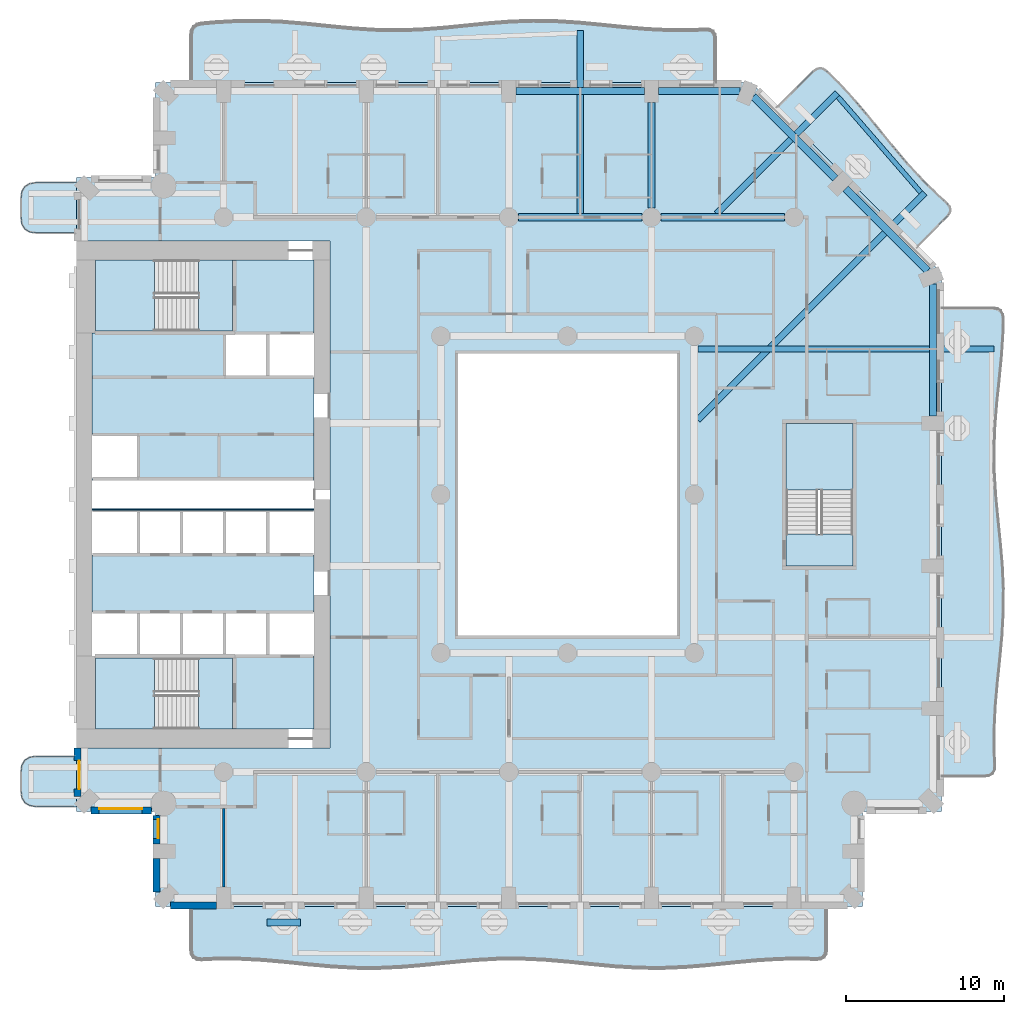
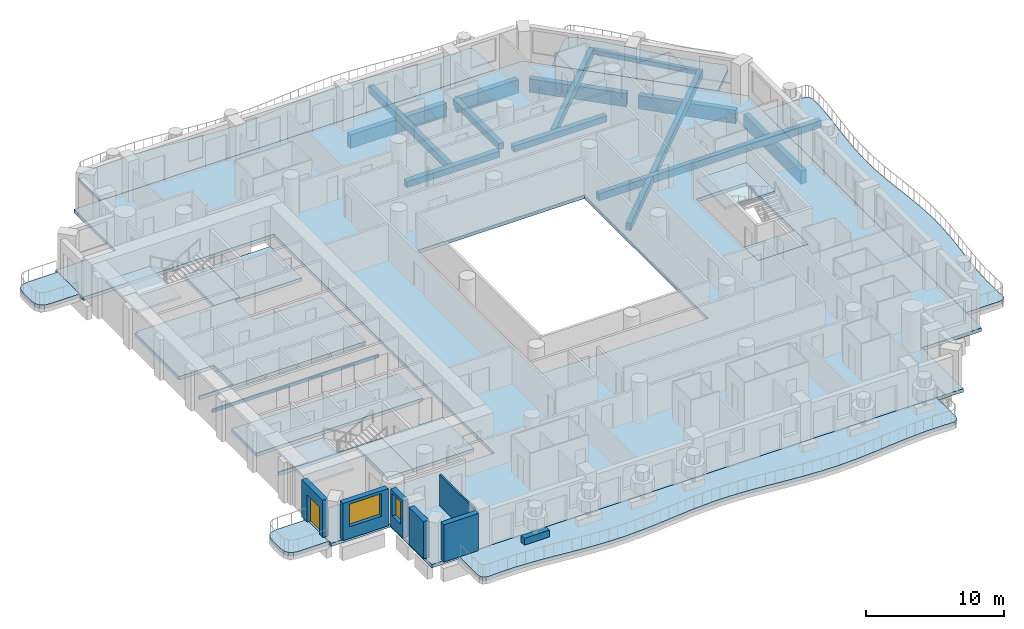
# One storey, part 2 of 20: 17 slabs, 13 beams, 7 walls, 2 windows, 1 door, 3 openings, 3 elements without a shape of their own.
"""IFC4 building model written with IfcOpenShell, lengths in metres."""

from ifc_helpers import new_model, si_unit, direction, frame, frame_2d, origin, origin_2d, place, context, subcontext, project, spatial, polyline, rectangle, outline, extrude, material, layer, layer_set, material_profile, profile_set, type_object, element, fill, aggregate, save


model = new_model("IFC4")

# Units and contexts
model_context = context("Model", 3, precision=1e-05, world=origin(), true_north=direction((0.0, 1.0)))
body_context = subcontext(model_context, "Body", "Model", "MODEL_VIEW")
ifc_project = project(units=[si_unit("LENGTHUNIT", "METRE"), si_unit("AREAUNIT", "SQUARE_METRE"), si_unit("VOLUMEUNIT", "CUBIC_METRE"), si_unit("PLANEANGLEUNIT", "RADIAN"), si_unit("MASSUNIT", "GRAM", prefix="KILO")], contexts=[model_context])

# Site, building, storey
site_placement = place(None, origin())
site = spatial("IfcSite", under=ifc_project, at=site_placement, CompositionType="ELEMENT")
building_placement = place(site_placement, origin())
building = spatial("IfcBuilding", under=site, at=building_placement, Name="Cypress Arch Tower", CompositionType="ELEMENT")
storey_placement = place(building_placement, frame((0.0, 0.0, 62.699951171875)))
storey = spatial("IfcBuildingStorey", under=building, at=storey_placement, Name="L09", CompositionType="ELEMENT", Elevation=62.699951171875)

# Beams
ifc_material_1 = material(Name="Concrete C50/60", Category="concrete")
ifc_material_profile_1 = material_profile(ifc_material_1, rectangle(XDim=0.300048828125, YDim=0.39990234375, at=origin_2d()), Name="RC 300x400")
ifc_profile_set_1 = profile_set([ifc_material_profile_1], Name="Concrete C50/60")
beam_type_1 = type_object("IfcBeamType", Name="Balcony edge beam RC 300x400 Concrete C50/60", PredefinedType="BEAM", material=ifc_profile_set_1)
beam_1_placement = place(storey_placement, frame((23.295166015625, 19.06591796875, -0.5), z_axis=(-0.654847851218, 0.755760737109, 0.0), x_axis=(-0.755760737109, -0.654847851218, 0.0)))
element("IfcBeam", 1, at=beam_1_placement, inside=storey, type_object=beam_type_1, Name="Balcony edge beam L09 A07", PredefinedType="BEAM", context=body_context, shape_type="SweptSolid", body=[
    extrude(rectangle(XDim=0.300048828125, YDim=0.39990234375, at=origin_2d()), origin(), (0.0, 0.0, 1.0), 7.9814453125),
])
ifc_material_2 = material(Name="Concrete C50/60", Category="concrete")
ifc_material_profile_2 = material_profile(ifc_material_2, rectangle(XDim=0.39990234375, YDim=0.64990234375, at=origin_2d()), Name="RC 400x650")
ifc_profile_set_2 = profile_set([ifc_material_profile_2], Name="Concrete C50/60")
beam_type_2 = type_object("IfcBeamType", Name="Cantilever beam RC 400x650 Concrete C50/60", PredefinedType="BEAM", material=ifc_profile_set_2)
beam_2_placement = place(storey_placement, frame((9.22509765625, 9.18798828125, -0.625), z_axis=(1.0, 0.0, 0.0), x_axis=(0.0, 1.0, 0.0)))
element("IfcBeam", 2, at=beam_2_placement, inside=storey, type_object=beam_type_2, Name="Cantilever beam L09 A06 2", PredefinedType="BEAM", context=body_context, shape_type="SweptSolid", body=[
    extrude(rectangle(XDim=0.39990234375, YDim=0.64990234375, at=origin_2d()), origin(), (0.0, 0.0, 1.0), 18.6767578125),
])
beam_3_placement = place(storey_placement, frame((9.22509765625, 4.712890625, -0.625), z_axis=(0.707106781187, 0.707106781187, 0.0), x_axis=(-0.707106781187, 0.707106781187, 0.0)))
element("IfcBeam", 3, at=beam_3_placement, inside=storey, type_object=beam_type_2, Name="Cantilever beam L09 A07 1", PredefinedType="BEAM", context=body_context, shape_type="SweptSolid", body=[
    extrude(rectangle(XDim=0.39990234375, YDim=0.64990234375, at=origin_2d()), origin(), (0.0, 0.0, 1.0), 20.248291015625),
])
beam_4_placement = place(storey_placement, frame((10.412841796875, 17.72509765625, -0.625), z_axis=(0.707106781187, 0.707106781187, 0.0), x_axis=(-0.707106781187, 0.707106781187, 0.0)))
element("IfcBeam", 4, at=beam_4_placement, inside=storey, type_object=beam_type_2, Name="Cantilever beam L09 A07 2", PredefinedType="BEAM", context=body_context, shape_type="SweptSolid", body=[
    extrude(rectangle(XDim=0.39990234375, YDim=0.64990234375, at=origin_2d()), origin(), (0.0, 0.0, 1.0), 10.77685546875),
])
beam_5_placement = place(storey_placement, frame((1.800048828125, 17.72509765625, -0.625), z_axis=(0.0, 1.0, 0.0), x_axis=(-1.0, 0.0, 0.0)))
element("IfcBeam", 5, at=beam_5_placement, inside=storey, type_object=beam_type_2, Name="Cantilever beam L09 A08 1", PredefinedType="BEAM", context=body_context, shape_type="SweptSolid", body=[
    extrude(rectangle(XDim=0.39990234375, YDim=0.64990234375, at=origin_2d()), origin(), (0.0, 0.0, 1.0), 11.55029296875),
])
ifc_material_3 = material(Name="Concrete C50/60", Category="concrete")
ifc_material_profile_3 = material_profile(ifc_material_3, rectangle(XDim=0.449951171875, YDim=0.550048828125, at=origin_2d()), Name="RC 450x550")
ifc_profile_set_3 = profile_set([ifc_material_profile_3], Name="Concrete C50/60")
beam_type_3 = type_object("IfcBeamType", Name="Floor beam RC 450x550 Concrete C50/60", PredefinedType="BEAM", material=ifc_profile_set_3)
for number, where, z_axis, x_axis, name in (
    (6, (-2.10009765625, 17.5, -0.574951171875), (1.0, 0.0, 0.0), (0.0, 1.0, 0.0), "Floor beam L09 FB017"),
    (7, (6.89990234375, 17.5, -0.574951171875), (1.0, 0.0, 0.0), (0.0, 1.0, 0.0), "Floor beam L09 FB018"),
):
    element("IfcBeam", number, at=place(storey_placement, frame(where, z_axis=z_axis, x_axis=x_axis)), inside=storey, type_object=beam_type_3, Name=name, PredefinedType="BEAM", context=body_context, shape_type="SweptSolid", body=[
        extrude(rectangle(XDim=0.449951171875, YDim=0.550048828125, at=origin_2d()), origin(), (0.0, 0.0, 1.0), 7.800048828125),
    ])
beam_6_placement = place(storey_placement, frame((6.300048828125, 18.10009765625, -0.574951171875), z_axis=(0.0, 1.0, 0.0), x_axis=(-1.0, 0.0, 0.0)))
element("IfcBeam", 8, at=beam_6_placement, inside=storey, type_object=beam_type_3, Name="Floor beam L09 FB033", PredefinedType="BEAM", context=body_context, shape_type="SweptSolid", body=[
    extrude(rectangle(XDim=0.449951171875, YDim=0.550048828125, at=origin_2d()), origin(), (0.0, 0.0, 1.0), 6.64990234375),
])
ifc_material_4 = material(Name="Concrete C50/60", Category="concrete")
ifc_material_profile_4 = material_profile(ifc_material_4, rectangle(XDim=0.449951171875, YDim=1.199951171875, at=origin_2d()), Name="RC 450x1200")
ifc_profile_set_4 = profile_set([ifc_material_profile_4], Name="Concrete C50/60")
beam_type_4 = type_object("IfcBeamType", Name="Spandrel beam RC 450x1200 Concrete C50/60", PredefinedType="SPANDREL", material=ifc_profile_set_4)
beam_7_placement = place(storey_placement, frame((24.074951171875, 4.949951171875, -1.550048828125), z_axis=(0.0, 1.0, 0.0), x_axis=(-1.0, 0.0, 0.0)))
element("IfcBeam", 9, at=beam_7_placement, inside=storey, type_object=beam_type_4, Name="Spandrel beam L09 BA06-3", PredefinedType="SPANDREL", context=body_context, shape_type="SweptSolid", body=[
    extrude(rectangle(XDim=0.449951171875, YDim=1.199951171875, at=origin_2d()), origin(), (0.0, 0.0, 1.0), 8.345458984375),
])
for number, where, z_axis, x_axis, name in (
    (10, (23.73046875, 14.126953125, -1.550048828125), (-0.707106781187, 0.707106781187, 0.0), (-0.707106781187, -0.707106781187, 0.0), "Spandrel beam L09 BA07-0"),
    (11, (17.91064453125, 19.947021484375, -1.550048828125), (-0.707106781187, 0.707106781187, 0.0), (-0.707106781187, -0.707106781187, 0.0), "Spandrel beam L09 BA07-1"),
):
    element("IfcBeam", number, at=place(storey_placement, frame(where, z_axis=z_axis, x_axis=x_axis)), inside=storey, type_object=beam_type_4, Name=name, PredefinedType="SPANDREL", context=body_context, shape_type="SweptSolid", body=[
        extrude(rectangle(XDim=0.449951171875, YDim=1.199951171875, at=origin_2d()), origin(), (0.0, 0.0, 1.0), 7.330810546875),
    ])
beam_8_placement = place(storey_placement, frame((11.8955078125, 25.47509765625, -1.550048828125), z_axis=(-1.0, 0.0, 0.0), x_axis=(0.0, -1.0, 0.0)))
element("IfcBeam", 12, at=beam_8_placement, inside=storey, type_object=beam_type_4, Name="Spandrel beam L09 BA08-0", PredefinedType="SPANDREL", context=body_context, shape_type="SweptSolid", body=[
    extrude(rectangle(XDim=0.449951171875, YDim=1.199951171875, at=origin_2d()), origin(), (0.0, 0.0, 1.0), 5.1455078125),
])
beam_9_placement = place(storey_placement, frame((5.85009765625, 25.47509765625, -1.550048828125), z_axis=(-1.0, 0.0, 0.0), x_axis=(0.0, -1.0, 0.0)))
element("IfcBeam", 13, at=beam_9_placement, inside=storey, type_object=beam_type_4, Name="Spandrel beam L09 BA08-1", PredefinedType="SPANDREL", context=body_context, shape_type="SweptSolid", body=[
    extrude(rectangle(XDim=0.449951171875, YDim=1.199951171875, at=origin_2d()), origin(), (0.0, 0.0, 1.0), 8.10009765625),
])

# Slabs
ifc_material_5 = material(Name="Concrete C40/50", Category="concrete")
ifc_layer_1 = layer(ifc_material_5, 0.300048828125)
ifc_layer_set_1 = layer_set([ifc_layer_1], Name="Balcony slab BS300")
slab_type_1 = type_object("IfcSlabType", Name="Balcony slab BS300", PredefinedType="USERDEFINED", material=ifc_layer_set_1)
slab_1_placement = place(storey_placement, frame((0.0, 0.0, -0.300048828125)))
element("IfcSlab", 14, at=slab_1_placement, inside=storey, type_object=slab_type_1, Name="Balcony slab L09-A00W0", ObjectType="BALCONY SLAB", PredefinedType="USERDEFINED", context=body_context, shape_type="SweptSolid", body=[
    extrude(outline(polyline([(-30.0, 19.699951171875), (-32.5, 19.699951171875), (-32.9375, 19.637451171875), (-33.25, 19.449951171875), (-33.4375, 19.137451171875), (-33.5, 18.699951171875), (-33.5, 17.5), (-33.4375, 17.0625), (-33.25, 16.75), (-32.9375, 16.5625), (-32.5, 16.5), (-30.0, 16.5), (-30.0, 19.699951171875)])), origin(), (0.0, 0.0, 1.0), 0.300048828125),
])
slab_2_placement = place(storey_placement, frame((0.0, 0.0, -0.300048828125)))
element("IfcSlab", 15, at=slab_2_placement, inside=storey, type_object=slab_type_1, Name="Balcony slab L09-A00W1", ObjectType="BALCONY SLAB", PredefinedType="USERDEFINED", context=body_context, shape_type="SweptSolid", body=[
    extrude(outline(polyline([(-30.0, -16.5), (-32.5, -16.5), (-32.9375, -16.5625), (-33.25, -16.75), (-33.4375, -17.0625), (-33.5, -17.5), (-33.5, -18.699951171875), (-33.4375, -19.137451171875), (-33.25, -19.449951171875), (-32.9375, -19.637451171875), (-32.5, -19.699951171875), (-30.0, -19.699951171875), (-30.0, -16.5)])), origin(), (0.0, 0.0, 1.0), 0.300048828125),
])
slab_3_placement = place(storey_placement, frame((0.0, 0.0, -0.300048828125)))
element("IfcSlab", 16, at=slab_3_placement, inside=storey, type_object=slab_type_1, Name="Balcony slab L09-A03", ObjectType="BALCONY SLAB", PredefinedType="USERDEFINED", context=body_context, shape_type="SweptSolid", body=[
    extrude(outline(polyline([(-22.75, -26.0), (-22.75, -28.71875), (-22.708251953125, -29.00927734375), (-22.5830078125, -29.2119140625), (-22.3740234375, -29.326416015625), (-22.081787109375, -29.35302734375), (-21.264892578125, -29.310546875), (-19.779541015625, -29.309326171875), (-18.29443359375, -29.384521484375), (-16.809326171875, -29.516357421875), (-15.323974609375, -29.670166015625), (-13.8388671875, -29.805419921875), (-12.353759765625, -29.88671875), (-10.868408203125, -29.892822265625), (-9.38330078125, -29.82177734375), (-7.898193359375, -29.692626953125), (-6.412841796875, -29.5390625), (-4.927734375, -29.4013671875), (-3.442626953125, -29.316162109375), (-1.95751953125, -29.305419921875), (-0.47216796875, -29.3720703125), (1.012939453125, -29.498779296875), (2.498046875, -29.65185546875), (3.9833984375, -29.79150390625), (5.468505859375, -29.880859375), (6.95361328125, -29.896240234375), (8.43896484375, -29.833984375), (9.924072265625, -29.7099609375), (11.4091796875, -29.557373046875), (12.89453125, -29.415771484375), (14.379638671875, -29.32275390625), (15.86474609375, -29.302490234375), (16.681640625, -29.334228515625), (16.97412109375, -29.303955078125), (17.182861328125, -29.186767578125), (17.308349609375, -28.982666015625), (17.35009765625, -28.691650390625), (17.35009765625, -26.0), (-22.75, -26.0)])), origin(), (0.0, 0.0, 1.0), 0.300048828125),
])
slab_4_placement = place(storey_placement, frame((0.0, 0.0, -0.300048828125)))
element("IfcSlab", 17, at=slab_4_placement, inside=storey, type_object=slab_type_1, Name="Balcony slab L09-A06", ObjectType="BALCONY SLAB", PredefinedType="USERDEFINED", context=body_context, shape_type="SweptSolid", body=[
    extrude(outline(polyline([(24.60009765625, -17.75), (27.3232421875, -17.75), (27.61181640625, -17.70849609375), (27.81298828125, -17.583984375), (27.9267578125, -17.376708984375), (27.953125, -17.086181640625), (27.910888671875, -16.27490234375), (27.908935546875, -14.800048828125), (27.982421875, -13.324951171875), (28.1123046875, -11.85009765625), (28.264892578125, -10.375), (28.400634765625, -8.89990234375), (28.484375, -7.425048828125), (28.494384765625, -5.949951171875), (28.42822265625, -4.47509765625), (28.302490234375, -3.0), (28.150390625, -1.52490234375), (28.01123046875, -0.050048828125), (27.9208984375, 1.425048828125), (27.90283203125, 2.89990234375), (27.9619140625, 4.375), (28.082763671875, 5.85009765625), (28.23388671875, 7.324951171875), (28.376220703125, 8.800048828125), (28.472900390625, 10.27490234375), (28.4873046875, 11.086181640625), (28.450927734375, 11.376708984375), (28.330078125, 11.583984375), (28.124755859375, 11.70849609375), (27.8349609375, 11.75), (24.60009765625, 11.75), (24.60009765625, -17.75)])), origin(), (0.0, 0.0, 1.0), 0.300048828125),
])
slab_5_placement = place(storey_placement, frame((0.0, 0.0, -0.300048828125)))
element("IfcSlab", 18, at=slab_5_placement, inside=storey, type_object=slab_type_1, Name="Balcony slab L09-A07", ObjectType="BALCONY SLAB", PredefinedType="USERDEFINED", context=body_context, shape_type="SweptSolid", body=[
    extrude(outline(polyline([(23.009033203125, 15.591064453125), (24.963134765625, 17.544921875), (25.127197265625, 17.764404296875), (25.177978515625, 17.98046875), (25.11572265625, 18.193603515625), (24.93994140625, 18.40380859375), (24.372314453125, 18.913818359375), (23.386474609375, 19.887451171875), (22.448486328125, 20.9091796875), (21.548583984375, 21.968994140625), (20.6689453125, 23.048583984375), (19.7861328125, 24.12548828125), (18.8779296875, 25.1767578125), (17.92822265625, 26.1865234375), (17.37890625, 26.71533203125), (17.15478515625, 26.876953125), (16.931884765625, 26.929443359375), (16.709716796875, 26.872802734375), (16.48876953125, 26.706787109375), (14.19091796875, 24.408935546875), (23.009033203125, 15.591064453125)])), origin(), (0.0, 0.0, 1.0), 0.300048828125),
])
slab_6_placement = place(storey_placement, frame((0.0, 0.0, -0.300048828125)))
element("IfcSlab", 19, at=slab_6_placement, inside=storey, type_object=slab_type_1, Name="Balcony slab L09-A08", ObjectType="BALCONY SLAB", PredefinedType="USERDEFINED", context=body_context, shape_type="SweptSolid", body=[
    extrude(outline(polyline([(10.35009765625, 26.0), (10.35009765625, 28.7392578125), (10.3095703125, 29.02099609375), (10.18798828125, 29.21728515625), (9.98583984375, 29.328125), (9.702392578125, 29.353759765625), (8.910888671875, 29.31201171875), (7.4716796875, 29.30712890625), (6.03271484375, 29.374755859375), (4.593505859375, 29.498046875), (3.154296875, 29.646484375), (1.71533203125, 29.783447265625), (0.276123046875, 29.875), (-1.1630859375, 29.898681640625), (-2.602294921875, 29.8486328125), (-4.041259765625, 29.737060546875), (-5.48046875, 29.591552734375), (-6.919677734375, 29.4482421875), (-8.358642578125, 29.34228515625), (-9.7978515625, 29.30029296875), (-11.237060546875, 29.33203125), (-12.676025390625, 29.43017578125), (-14.115234375, 29.5703125), (-15.554443359375, 29.717529296875), (-16.993408203125, 29.8359375), (-18.4326171875, 29.89599609375), (-19.871826171875, 29.8828125), (-21.310791015625, 29.7998046875), (-22.102294921875, 29.72705078125), (-22.3857421875, 29.660400390625), (-22.588134765625, 29.519775390625), (-22.70947265625, 29.305419921875), (-22.75, 29.01708984375), (-22.75, 26.0), (10.35009765625, 26.0)])), origin(), (0.0, 0.0, 1.0), 0.300048828125),
])
ifc_material_6 = material(Name="Concrete C40/50", Category="concrete")
ifc_layer_2 = layer(ifc_material_6, 0.300048828125)
ifc_layer_set_2 = layer_set([ifc_layer_2], Name="Core floor CF300")
slab_type_2 = type_object("IfcSlabType", Name="Core floor CF300", PredefinedType="FLOOR", material=ifc_layer_set_2)
slab_7_placement = place(storey_placement, frame((0.0, 0.0, -0.300048828125)))
element("IfcSlab", 20, at=slab_7_placement, inside=storey, type_object=slab_type_2, Name="Core floor", PredefinedType="FLOOR", context=body_context, shape_type="SweptSolid", body=[
    extrude(outline(polyline([(-20.125, -14.800048828125), (-15.0, -14.800048828125), (-15.0, -10.199951171875), (-17.919921875, -10.199951171875), (-20.639892578125, -10.199951171875), (-23.360107421875, -10.199951171875), (-26.080078125, -10.199951171875), (-28.800048828125, -10.199951171875), (-28.800048828125, -10.324951171875), (-22.27490234375, -10.324951171875), (-20.125, -10.324951171875), (-20.125, -14.800048828125)])), origin(), (0.0, 0.0, 1.0), 0.300048828125),
])
slab_8_placement = place(storey_placement, frame((0.0, 0.0, -0.300048828125)))
element("IfcSlab", 21, at=slab_8_placement, inside=storey, type_object=slab_type_2, Name="Core floor", PredefinedType="FLOOR", context=body_context, shape_type="SweptSolid", body=[
    extrude(outline(polyline([(-29.0, -3.800048828125), (-29.0, -7.39990234375), (-26.080078125, -7.39990234375), (-23.360107421875, -7.39990234375), (-20.639892578125, -7.39990234375), (-17.919921875, -7.39990234375), (-15.0, -7.39990234375), (-15.0, -3.800048828125), (-17.919921875, -3.800048828125), (-20.639892578125, -3.800048828125), (-23.360107421875, -3.800048828125), (-26.080078125, -3.800048828125), (-29.0, -3.800048828125)])), origin(), (0.0, 0.0, 1.0), 0.300048828125),
])
slab_9_placement = place(storey_placement, frame((0.0, 0.0, -0.300048828125)))
element("IfcSlab", 22, at=slab_9_placement, inside=storey, type_object=slab_type_2, Name="Core floor", PredefinedType="FLOOR", context=body_context, shape_type="SweptSolid", body=[
    extrude(outline(polyline([(-29.0, 3.800048828125), (-29.0, 10.199951171875), (-28.800048828125, 10.199951171875), (-28.800048828125, 10.324951171875), (-28.60009765625, 10.324951171875), (-22.27490234375, 10.324951171875), (-20.125, 10.324951171875), (-20.125, 14.800048828125), (-15.39990234375, 14.800048828125), (-15.0, 14.800048828125), (-15.0, 10.199951171875), (-15.39990234375, 10.199951171875), (-17.919921875, 10.199951171875), (-20.639892578125, 10.199951171875), (-20.639892578125, 7.39990234375), (-17.919921875, 7.39990234375), (-15.39990234375, 7.39990234375), (-15.0, 7.39990234375), (-15.0, 0.89990234375), (-28.60009765625, 0.89990234375), (-29.0, 0.89990234375), (-29.0, 1.0), (-28.60009765625, 1.0), (-26.080078125, 1.0), (-26.080078125, 3.800048828125), (-28.60009765625, 3.800048828125), (-29.0, 3.800048828125)])), origin(), (0.0, 0.0, 1.0), 0.300048828125),
])
slab_10_placement = place(storey_placement, frame((0.0, 0.0, -0.300048828125)))
element("IfcSlab", 23, at=slab_10_placement, inside=storey, type_object=slab_type_2, Name="Core floor", PredefinedType="FLOOR", context=body_context, shape_type="SweptSolid", body=[
    extrude(outline(polyline([(-22.27490234375, -10.324951171875), (-22.27490234375, -14.800048828125), (-20.125, -14.800048828125), (-20.125, -10.324951171875), (-22.27490234375, -10.324951171875)])), origin(), (0.0, 0.0, 1.0), 0.300048828125),
])
slab_11_placement = place(storey_placement, frame((0.0, 0.0, -0.300048828125)))
element("IfcSlab", 24, at=slab_11_placement, inside=storey, type_object=slab_type_2, Name="Core floor", PredefinedType="FLOOR", context=body_context, shape_type="SweptSolid", body=[
    extrude(outline(polyline([(-20.125, 14.800048828125), (-22.27490234375, 14.800048828125), (-22.27490234375, 10.324951171875), (-20.125, 10.324951171875), (-20.125, 14.800048828125)])), origin(), (0.0, 0.0, 1.0), 0.300048828125),
])
slab_12_placement = place(storey_placement, frame((0.0, 0.0, -0.300048828125)))
element("IfcSlab", 25, at=slab_12_placement, inside=storey, type_object=slab_type_2, Name="Stair floor landing", PredefinedType="FLOOR", context=body_context, shape_type="SweptSolid", body=[
    extrude(outline(polyline([(19.0, -4.5), (19.0, -2.5), (14.800048828125, -2.5), (14.800048828125, -4.5), (19.0, -4.5)])), origin(), (0.0, 0.0, 1.0), 0.300048828125),
])
slab_13_placement = place(storey_placement, frame((0.0, 0.0, -0.300048828125)))
element("IfcSlab", 26, at=slab_13_placement, inside=storey, type_object=slab_type_2, Name="Core floor", PredefinedType="FLOOR", context=body_context, shape_type="SweptSolid", body=[
    extrude(outline(polyline([(-20.639892578125, -1.0), (-23.360107421875, -1.0), (-26.080078125, -1.0), (-28.60009765625, -1.0), (-29.0, -1.0), (-29.0, -0.89990234375), (-28.60009765625, -0.89990234375), (-15.39990234375, -0.89990234375), (-15.0, -0.89990234375), (-15.0, -1.0), (-15.39990234375, -1.0), (-17.919921875, -1.0), (-20.639892578125, -1.0)])), origin(), (0.0, 0.0, 1.0), 0.300048828125),
])
ifc_material_7 = material(Name="Concrete C40/50", Category="concrete")
ifc_layer_3 = layer(ifc_material_7, 0.300048828125)
ifc_layer_set_3 = layer_set([ifc_layer_3], Name="PT flat slab 300 Concrete C40/50")
slab_type_3 = type_object("IfcSlabType", Name="PT flat slab 300 Concrete C40/50", PredefinedType="FLOOR", material=ifc_layer_set_3)
slab_14_placement = place(storey_placement, frame((0.0, 0.0, -0.300048828125)))
element("IfcSlab", 27, at=slab_14_placement, inside=storey, type_object=slab_type_3, Name="Floor slab L09", PredefinedType="FLOOR", context=body_context, shape_type="SweptSolid", body=[
    extrude(outline(polyline([(-30.0, 20.0), (-25.0, 20.0), (-25.0, 26.0), (12.60009765625, 26.0), (24.60009765625, 14.0), (24.60009765625, -20.0), (19.60009765625, -20.0), (19.60009765625, -26.0), (-25.0, -26.0), (-25.0, -20.0), (-30.0, -20.0), (-30.0, -16.0), (-14.0, -16.0), (-14.0, 16.0), (-30.0, 16.0), (-30.0, 20.0)]), holes=[polyline([(-6.0, -9.0), (8.0, -9.0), (8.0, 9.0), (-6.0, 9.0), (-6.0, -9.0)]), polyline([(14.800048828125, -4.5), (19.0, -4.5), (19.0, 4.5), (14.800048828125, 4.5), (14.800048828125, -4.5)])]), origin(), (0.0, 0.0, 1.0), 0.300048828125),
])

# Stair, slab
ifc_material_8 = material(Name="Concrete C40/50", Category="concrete")
stair_type_1 = type_object("IfcStairType", Name="Exit stair ES1636-215", PredefinedType="HALF_TURN_STAIR", material=ifc_material_8)
stair_1_placement = place(storey_placement, origin())
stair_1 = element("IfcStair", 28, at=stair_1_placement, inside=storey, type_object=stair_type_1, Name="L09 Exit stair A", PredefinedType="HALF_TURN_STAIR")
ifc_material_9 = material(Name="Concrete C40/50", Category="concrete")
ifc_layer_4 = layer(ifc_material_9, 0.199951171875)
ifc_layer_set_4 = layer_set([ifc_layer_4], Name="Stair landing SL200")
slab_type_4 = type_object("IfcSlabType", Name="Stair landing SL200", PredefinedType="LANDING", material=ifc_layer_set_4)
slab_15_placement = place(storey_placement, frame((0.0, 0.0, 1.60009765625)))
slab_15 = element("IfcSlab", 29, at=slab_15_placement, type_object=slab_type_4, Name="A landing 1", PredefinedType="LANDING", context=body_context, shape_type="SweptSolid", body=[
    extrude(outline(polyline([(-25.074951171875, -10.324951171875), (-28.800048828125, -10.324951171875), (-28.800048828125, -14.800048828125), (-25.074951171875, -14.800048828125), (-25.074951171875, -10.324951171875)])), origin(), (0.0, 0.0, 1.0), 0.199951171875),
])
aggregate(stair_1, [slab_15])

stair_2_placement = place(storey_placement, origin())
stair_2 = element("IfcStair", 30, at=stair_2_placement, inside=storey, type_object=stair_type_1, Name="L09 Exit stair B", PredefinedType="HALF_TURN_STAIR")
slab_16_placement = place(storey_placement, frame((0.0, 0.0, 1.60009765625)))
slab_16 = element("IfcSlab", 31, at=slab_16_placement, type_object=slab_type_4, Name="B landing 1", PredefinedType="LANDING", context=body_context, shape_type="SweptSolid", body=[
    extrude(outline(polyline([(-25.074951171875, 14.800048828125), (-28.800048828125, 14.800048828125), (-28.800048828125, 10.324951171875), (-25.074951171875, 10.324951171875), (-25.074951171875, 14.800048828125)])), origin(), (0.0, 0.0, 1.0), 0.199951171875),
])
aggregate(stair_2, [slab_16])

ifc_material_10 = material(Name="Concrete C40/50", Category="concrete")
stair_type_2 = type_object("IfcStairType", Name="Exit stair ES1636-200", PredefinedType="HALF_TURN_STAIR", material=ifc_material_10)
stair_3_placement = place(storey_placement, origin())
stair_3 = element("IfcStair", 32, at=stair_3_placement, inside=storey, type_object=stair_type_2, Name="L09 Exit stair C", PredefinedType="HALF_TURN_STAIR")
slab_17_placement = place(storey_placement, frame((0.0, 0.0, 1.60009765625)))
slab_17 = element("IfcSlab", 33, at=slab_17_placement, type_object=slab_type_4, Name="C landing 1", PredefinedType="LANDING", context=body_context, shape_type="SweptSolid", body=[
    extrude(outline(polyline([(19.0, 0.300048828125), (19.0, 4.5), (14.800048828125, 4.5), (14.800048828125, 0.300048828125), (19.0, 0.300048828125)])), origin(), (0.0, 0.0, 1.0), 0.199951171875),
])
aggregate(stair_3, [slab_17])

# Wall
ifc_material_11 = material(Name="Concrete C40/50, waterproofed", Category="concrete")
ifc_layer_5 = layer(ifc_material_11, 0.449951171875)
ifc_layer_set_5 = layer_set([ifc_layer_5], Name="Balcony planter wall PW450")
wall_type_1 = type_object("IfcWallType", Name="Balcony planter wall PW450", PredefinedType="SOLIDWALL", material=ifc_layer_set_5)
wall_1_placement = place(storey_placement, frame((-17.949951171875, -27.0, 0.0), z_axis=(0.0, 0.0, 1.0), x_axis=(1.0, 0.0, 0.0)))
element("IfcWall", 34, at=wall_1_placement, inside=storey, type_object=wall_type_1, Name="Balcony planter wall L09-A03.1", PredefinedType="SOLIDWALL", context=body_context, shape_type="SweptSolid", body=[
    extrude(rectangle(XDim=2.099853515625, YDim=0.449951171875, at=frame_2d((1.0498046875, 0.0))), origin(), (0.0, 0.0, 1.0), 0.60009765625),
])

# Wall, opening, door
ifc_material_12 = material(Name="Brick (red buff blend)", Category="masonry")
ifc_layer_6 = layer(ifc_material_12, 0.449951171875)
ifc_layer_set_6 = layer_set([ifc_layer_6], Name="Brick pier and spandrel wall BW450")
wall_type_2 = type_object("IfcWallType", Name="Brick pier and spandrel wall BW450", PredefinedType="SOLIDWALL", material=ifc_layer_set_6)
wall_2_placement = place(storey_placement, frame((-29.925048828125, -16.0, 0.0), z_axis=(0.0, 0.0, 1.0), x_axis=(0.0, -1.0, 0.0)))
wall_2 = element("IfcWall", 35, at=wall_2_placement, inside=storey, type_object=wall_type_2, Name="Brick wall L09 A00.0.1", PredefinedType="SOLIDWALL", context=body_context, shape_type="SweptSolid", body=[
    extrude(rectangle(XDim=3.063720703125, YDim=0.449951171875, at=frame_2d((1.53173828125, 0.0))), origin(), (0.0, 0.0, 1.0), 3.300048828125),
])
opening_1_placement = place(wall_2_placement, frame((0.78173828125, 0.0, 0.0)))
opening_1 = element("IfcOpeningElement", 36, at=opening_1_placement, cuts=wall_2, Name="Opening D-L09-A00.0.1.9", PredefinedType="OPENING", context=body_context, shape_type="SweptSolid", body=[
    extrude(rectangle(XDim=1.800048828125, YDim=2.39990234375, at=frame_2d((0.89990234375, 1.199951171875))), frame((0.0, 0.23486328125, 0.0), z_axis=(0.0, -1.0, 0.0), x_axis=(1.0, 0.0, 0.0)), (0.0, 0.0, 1.0), 0.469970703125),
])
ifc_material_13 = material(Name="Anodised aluminium, bronze finish, laminated low-emissivity double glazing, large-missile impact rated", Category="aluminium")
door_type = type_object("IfcDoorType", Name="Balcony sliding door 1800x2400", OperationType="SLIDING_TO_LEFT", PredefinedType="DOOR", material=ifc_material_13)
door_placement = place(opening_1_placement, origin())
door = element("IfcDoor", 37, at=door_placement, inside=storey, type_object=door_type, Name="Balcony door L09 A00.0.1.9", OperationType="SLIDING_TO_LEFT", OverallHeight=2.39990234375, OverallWidth=1.800048828125, PredefinedType="DOOR", context=body_context, shape_type="SweptSolid", body=[
    extrude(rectangle(XDim=1.800048828125, YDim=2.39990234375, at=frame_2d((0.89990234375, 1.199951171875))), frame((0.0, 0.1298828125, 0.0), z_axis=(0.0, -1.0, 0.0), x_axis=(1.0, 0.0, 0.0)), (0.0, 0.0, 1.0), 0.050048828125),
])
fill(opening_1, door)

# Wall, opening, window
wall_3_placement = place(storey_placement, frame((-29.063720703125, -19.925048828125, 0.0), z_axis=(0.0, 0.0, 1.0), x_axis=(1.0, 0.0, 0.0)))
wall_3 = element("IfcWall", 38, at=wall_3_placement, inside=storey, type_object=wall_type_2, Name="Brick wall L09 A01.0", PredefinedType="SOLIDWALL", context=body_context, shape_type="SweptSolid", body=[
    extrude(rectangle(XDim=3.80517578125, YDim=0.449951171875, at=frame_2d((1.902587890625, 0.0))), origin(), (0.0, 0.0, 1.0), 3.300048828125),
])
opening_2_placement = place(wall_3_placement, frame((0.513671875, 0.0, 1.050048828125)))
opening_2 = element("IfcOpeningElement", 39, at=opening_2_placement, cuts=wall_3, Name="Opening W270H", PredefinedType="OPENING", context=body_context, shape_type="SweptSolid", body=[
    extrude(rectangle(XDim=2.699951171875, YDim=2.0, at=frame_2d((1.35009765625, 1.0))), frame((0.0, 0.23486328125, 0.0), z_axis=(0.0, -1.0, 0.0), x_axis=(1.0, 0.0, 0.0)), (0.0, 0.0, 1.0), 0.469970703125),
])
ifc_material_14 = material(Name="Anodised aluminium, bronze finish, clear low-emissivity double glazing", Category="aluminium")
window_type_1 = type_object("IfcWindowType", Name="Window Hotel 2700x2000", PartitioningType="SINGLE_PANEL", PredefinedType="WINDOW", material=ifc_material_14)
window_1_placement = place(opening_2_placement, origin())
window_1 = element("IfcWindow", 40, at=window_1_placement, inside=storey, type_object=window_type_1, Name="Window L09 A01.0.1", OverallHeight=2.0, OverallWidth=2.699951171875, PartitioningType="SINGLE_PANEL", PredefinedType="WINDOW", context=body_context, shape_type="SweptSolid", body=[
    extrude(rectangle(XDim=2.699951171875, YDim=2.0, at=frame_2d((1.35009765625, 1.0))), frame((0.0, 0.135009765625, 0.0), z_axis=(0.0, -1.0, 0.0), x_axis=(1.0, 0.0, 0.0)), (0.0, 0.0, 1.0), 0.06005859375),
])
fill(opening_2, window_1)

wall_4_placement = place(storey_placement, frame((-24.925048828125, -20.258544921875, 0.0), z_axis=(0.0, 0.0, 1.0), x_axis=(0.0, -1.0, 0.0)))
wall_4 = element("IfcWall", 41, at=wall_4_placement, inside=storey, type_object=wall_type_2, Name="Brick wall L09 A02.0", PredefinedType="SOLIDWALL", context=body_context, shape_type="SweptSolid", body=[
    extrude(rectangle(XDim=1.79150390625, YDim=0.449951171875, at=frame_2d((0.895751953125, 0.0))), origin(), (0.0, 0.0, 1.0), 3.300048828125),
])
opening_3_placement = place(wall_4_placement, frame((0.241455078125, 0.0, 1.050048828125)))
opening_3 = element("IfcOpeningElement", 42, at=opening_3_placement, cuts=wall_4, Name="Opening W120H", PredefinedType="OPENING", context=body_context, shape_type="SweptSolid", body=[
    extrude(rectangle(XDim=1.199951171875, YDim=2.0, at=frame_2d((0.60009765625, 1.0))), frame((0.0, 0.23486328125, 0.0), z_axis=(0.0, -1.0, 0.0), x_axis=(1.0, 0.0, 0.0)), (0.0, 0.0, 1.0), 0.469970703125),
])
ifc_material_15 = material(Name="Anodised aluminium, bronze finish, clear low-emissivity double glazing", Category="aluminium")
window_type_2 = type_object("IfcWindowType", Name="Window Hotel 1200x2000", PartitioningType="SINGLE_PANEL", PredefinedType="WINDOW", material=ifc_material_15)
window_2_placement = place(opening_3_placement, origin())
window_2 = element("IfcWindow", 43, at=window_2_placement, inside=storey, type_object=window_type_2, Name="Window L09 A02.0.1", OverallHeight=2.0, OverallWidth=1.199951171875, PartitioningType="SINGLE_PANEL", PredefinedType="WINDOW", context=body_context, shape_type="SweptSolid", body=[
    extrude(rectangle(XDim=1.199951171875, YDim=2.0, at=frame_2d((0.60009765625, 1.0))), frame((0.0, 0.135009765625, 0.0), z_axis=(0.0, -1.0, 0.0), x_axis=(1.0, 0.0, 0.0)), (0.0, 0.0, 1.0), 0.06005859375),
])
fill(opening_3, window_2)

# Walls
wall_5_placement = place(storey_placement, frame((-24.925048828125, -22.949951171875, 0.0), z_axis=(0.0, 0.0, 1.0), x_axis=(0.0, -1.0, 0.0)))
element("IfcWall", 44, at=wall_5_placement, inside=storey, type_object=wall_type_2, Name="Brick wall L09 A02.1", PredefinedType="SOLIDWALL", context=body_context, shape_type="SweptSolid", body=[
    extrude(rectangle(XDim=2.11376953125, YDim=0.449951171875, at=frame_2d((1.056884765625, 0.0))), origin(), (0.0, 0.0, 1.0), 3.300048828125),
])
wall_6_placement = place(storey_placement, frame((-24.063720703125, -25.925048828125, 0.0), z_axis=(0.0, 0.0, 1.0), x_axis=(1.0, 0.0, 0.0)))
element("IfcWall", 45, at=wall_6_placement, inside=storey, type_object=wall_type_2, Name="Brick wall L09 A03.0", PredefinedType="SOLIDWALL", context=body_context, shape_type="SweptSolid", body=[
    extrude(rectangle(XDim=2.913818359375, YDim=0.449951171875, at=frame_2d((1.45703125, 0.0))), origin(), (0.0, 0.0, 1.0), 3.300048828125),
])
ifc_material_16 = material(Name="Blockwork, plastered both sides", Category="masonry")
ifc_layer_7 = layer(ifc_material_16, 0.14990234375)
ifc_layer_set_7 = layer_set([ifc_layer_7], Name="Partition PW150")
wall_type_3 = type_object("IfcWallType", Name="Partition PW150", PredefinedType="PARTITIONING", material=ifc_layer_set_7)
wall_7_placement = place(storey_placement, frame((-20.699951171875, -24.75, 0.0), z_axis=(0.0, 0.0, 1.0), x_axis=(0.0, 1.0, 0.0)))
element("IfcWall", 46, at=wall_7_placement, inside=storey, type_object=wall_type_3, Name="Partition", PredefinedType="PARTITIONING", context=body_context, shape_type="SweptSolid", body=[
    extrude(rectangle(XDim=4.949951171875, YDim=0.14990234375, at=frame_2d((2.47509765625, 0.0))), origin(), (0.0, 0.0, 1.0), 2.75),
])

save(model, "model.ifc")
